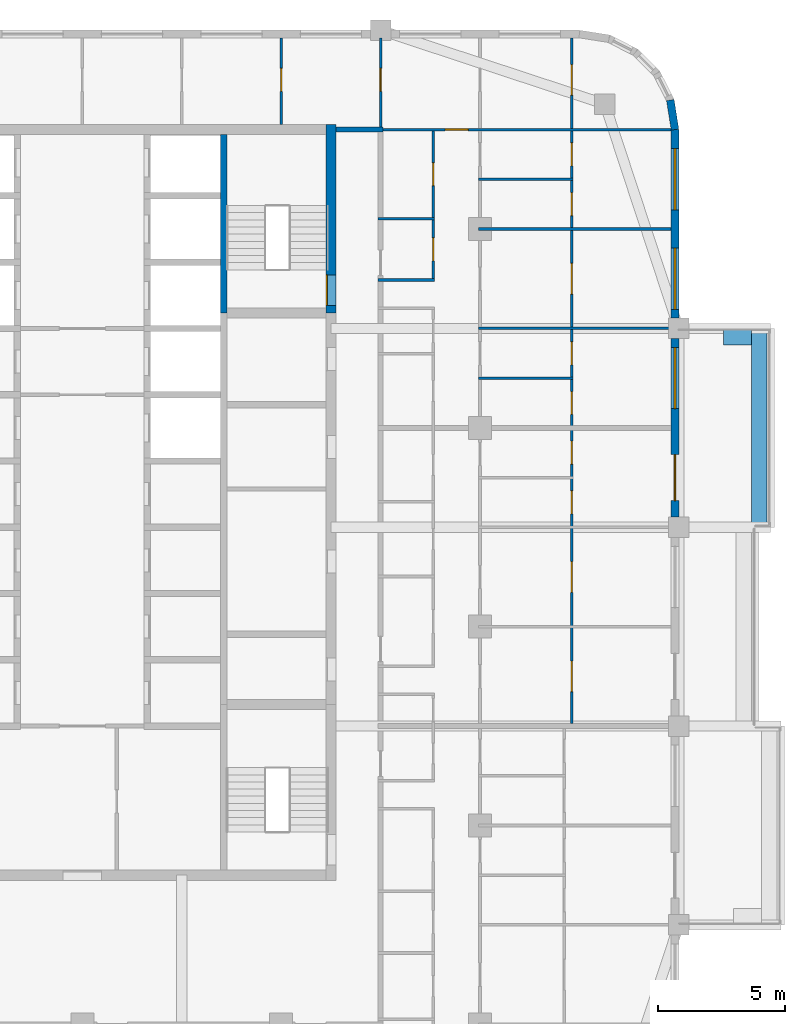
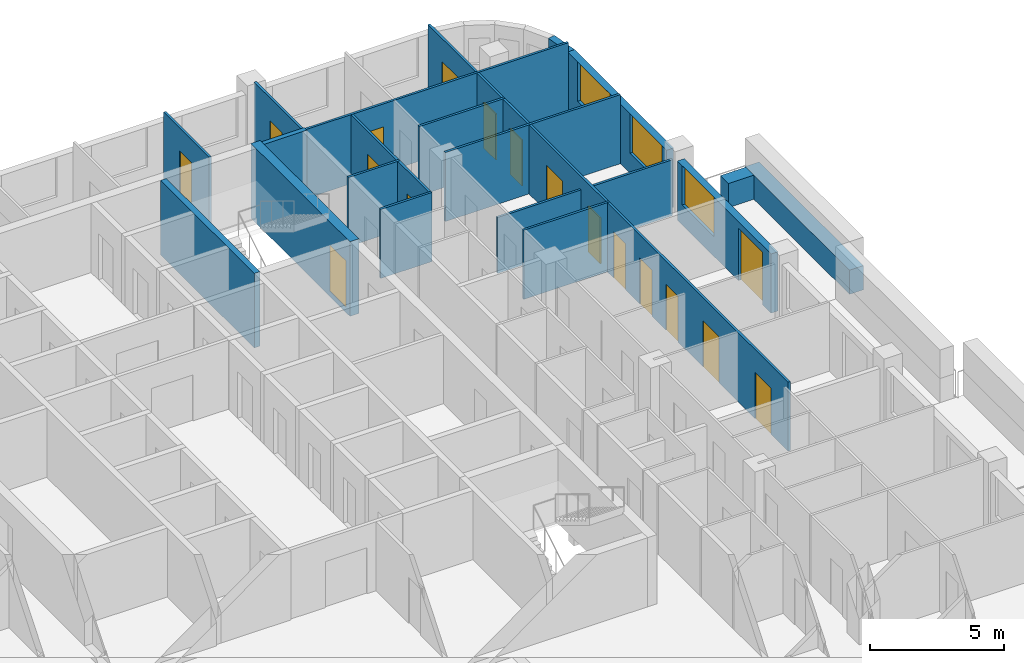
# One storey, part 11 of 17: 19 walls, 17 doors, 3 windows, 20 openings.
"""IFC4 building model written with IfcOpenShell, lengths in metres."""

from ifc_helpers import new_model, si_unit, direction, frame, frame_2d, origin, place, context, subcontext, project, spatial, rectangle, extrude, material, layer, layer_set, type_object, element, fill, save


model = new_model("IFC4")

# Units and contexts
model_context = context("Model", 3, precision=1e-05, world=origin(), true_north=direction((0.0, 1.0)))
body_context = subcontext(model_context, "Body", "Model", "MODEL_VIEW")
ifc_project = project(units=[si_unit("LENGTHUNIT", "METRE"), si_unit("AREAUNIT", "SQUARE_METRE"), si_unit("VOLUMEUNIT", "CUBIC_METRE"), si_unit("PLANEANGLEUNIT", "RADIAN"), si_unit("MASSUNIT", "GRAM", prefix="KILO")], contexts=[model_context])

# Site, building, storey
site_placement = place(None, origin())
site = spatial("IfcSite", under=ifc_project, at=site_placement, CompositionType="ELEMENT")
building_placement = place(site_placement, origin())
building = spatial("IfcBuilding", under=site, at=building_placement, Name="Ludao Terraces", CompositionType="ELEMENT")
storey_placement = place(building_placement, frame((0.0, 0.0, 210.89990234375)))
storey = spatial("IfcBuildingStorey", under=building, at=storey_placement, Name="L57", CompositionType="ELEMENT", Elevation=210.89990234375)

# Wall, opening, door
ifc_material_1 = material(Name="Concrete C50", Category="concrete")
ifc_layer_1 = layer(ifc_material_1, 0.39990234375)
ifc_layer_set_1 = layer_set([ifc_layer_1], Name="Core wall 400 C50")
wall_type_1 = type_object("IfcWallType", Name="Core wall 400 C50", PredefinedType="SOLIDWALL", material=ifc_layer_set_1)
wall_1_placement = place(storey_placement, frame((94.75, 77.300048828125, -0.25), z_axis=(0.0, 0.0, 1.0), x_axis=(0.0, 1.0, 0.0)))
wall_1 = element("IfcWall", 1, at=wall_1_placement, inside=storey, type_object=wall_type_1, Name="Core wall L57 outer-E-S2", PredefinedType="SOLIDWALL", context=body_context, shape_type="SweptSolid", body=[
    extrude(rectangle(XDim=7.39990234375, YDim=0.39990234375, at=frame_2d((3.699951171875, 0.0))), origin(), (0.0, 0.0, 1.0), 3.400146484375),
])
opening_1_placement = place(wall_1_placement, frame((0.300048828125, 0.0, 0.25)))
opening_1 = element("IfcOpeningElement", 2, at=opening_1_placement, cuts=wall_1, Name="Opening R20-110", PredefinedType="OPENING", context=body_context, shape_type="SweptSolid", body=[
    extrude(rectangle(XDim=1.199951171875, YDim=2.10009765625, at=frame_2d((0.60009765625, 1.050048828125))), frame((0.0, 0.2099609375, 0.0), z_axis=(0.0, -1.0, 0.0), x_axis=(1.0, 0.0, 0.0)), (0.0, 0.0, 1.0), 0.419921875),
])
ifc_material_2 = material(Name="Steel Q235", Category="steel")
door_type_1 = type_object("IfcDoorType", Name="INT Stair door 1200", OperationType="DOUBLE_DOOR_SINGLE_SWING", PredefinedType="DOOR", material=ifc_material_2)
door_1_placement = place(opening_1_placement, origin())
door_1 = element("IfcDoor", 3, at=door_1_placement, inside=storey, type_object=door_type_1, Name="DOOR 110", OperationType="DOUBLE_DOOR_SINGLE_SWING", OverallHeight=2.10009765625, OverallWidth=1.199951171875, PredefinedType="DOOR", context=body_context, shape_type="SweptSolid", body=[
    extrude(rectangle(XDim=1.199951171875, YDim=2.10009765625, at=frame_2d((0.60009765625, 1.050048828125))), frame((0.0, 0.18505859375, 0.0), z_axis=(0.0, -1.0, 0.0), x_axis=(1.0, 0.0, 0.0)), (0.0, 0.0, 1.0), 0.050048828125),
])
fill(opening_1, door_1)

# Walls
ifc_material_3 = material(Name="Concrete C40", Category="concrete")
ifc_layer_2 = layer(ifc_material_3, 0.60009765625)
ifc_layer_set_2 = layer_set([ifc_layer_2], Name="ENV Planter trough 600")
wall_type_2 = type_object("IfcWallType", Name="ENV Planter trough 600", PredefinedType="USERDEFINED", material=ifc_layer_set_2)
wall_2_placement = place(storey_placement, frame((111.550048828125, 68.89990234375, 0.0), z_axis=(0.0, 0.0, 1.0), x_axis=(0.0, 1.0, 0.0)))
element("IfcWall", 4, at=wall_2_placement, inside=storey, type_object=wall_type_2, Name="PL-L57-E3", ObjectType="PLANTER", PredefinedType="USERDEFINED", context=body_context, shape_type="SweptSolid", body=[
    extrude(rectangle(XDim=7.800048828125, YDim=0.60009765625, at=frame_2d((3.89990234375, 0.0))), origin(), (0.0, 0.0, 1.0), 1.10009765625),
])
wall_3_placement = place(storey_placement, frame((111.25, 76.35009765625, 0.0), z_axis=(0.0, 0.0, 1.0), x_axis=(-1.0, 0.0, 0.0)))
element("IfcWall", 5, at=wall_3_placement, inside=storey, type_object=wall_type_2, Name="PL-L57-E3-SB", ObjectType="PLANTER", PredefinedType="USERDEFINED", context=body_context, shape_type="SweptSolid", body=[
    extrude(rectangle(XDim=1.10009765625, YDim=0.60009765625, at=frame_2d((0.550048828125, 0.0))), origin(), (0.0, 0.0, 1.0), 1.10009765625),
])

# Wall, openings, door, window
ifc_material_4 = material(Name="Granite cladding", Category="masonry")
ifc_layer_3 = layer(ifc_material_4, 0.0400390625, Category="stone")
ifc_material_5 = material(Name="Mineral wool")
ifc_layer_4 = layer(ifc_material_5, 0.06005859375)
ifc_layer_5 = layer(ifc_material_3, 0.199951171875, Category="concrete")
ifc_layer_set_3 = layer_set([ifc_layer_3, ifc_layer_4, ifc_layer_5], Name="ENV Stone-clad wall 300")
wall_type_3 = type_object("IfcWallType", Name="ENV Stone-clad wall 300", PredefinedType="SOLIDWALL", material=ifc_layer_set_3)
wall_4_placement = place(storey_placement, frame((108.25, 69.300048828125, 0.0), z_axis=(0.0, 0.0, 1.0), x_axis=(0.0, 1.0, 0.0)))
wall_4 = element("IfcWall", 6, at=wall_4_placement, inside=storey, type_object=wall_type_3, Name="EW-L57-E4", PredefinedType="SOLIDWALL", context=body_context, shape_type="SweptSolid", body=[
    extrude(rectangle(XDim=7.0, YDim=0.300048828125, at=frame_2d((3.5, 0.0))), origin(), (0.0, 0.0, 1.0), 2.7001953125),
])
opening_2_placement = place(wall_4_placement, frame((0.64990234375, 0.0, 0.0)))
opening_2 = element("IfcOpeningElement", 7, at=opening_2_placement, cuts=wall_4, Name="Opening BD", PredefinedType="OPENING", context=body_context, shape_type="SweptSolid", body=[
    extrude(rectangle(XDim=1.800048828125, YDim=2.39990234375, at=frame_2d((0.89990234375, 1.199951171875))), frame((0.0, 0.16015625, 0.0), z_axis=(0.0, -1.0, 0.0), x_axis=(1.0, 0.0, 0.0)), (0.0, 0.0, 1.0), 0.320068359375),
])
opening_3_placement = place(wall_4_placement, frame((4.25, 0.0, 0.89990234375)))
opening_3 = element("IfcOpeningElement", 8, at=opening_3_placement, cuts=wall_4, Name="Opening W1", PredefinedType="OPENING", context=body_context, shape_type="SweptSolid", body=[
    extrude(rectangle(XDim=2.39990234375, YDim=1.800048828125, at=frame_2d((1.199951171875, 0.89990234375))), frame((0.0, 0.16015625, 0.0), z_axis=(0.0, -1.0, 0.0), x_axis=(1.0, 0.0, 0.0)), (0.0, 0.0, 1.0), 0.320068359375),
])
ifc_material_6 = material(Name="Aluminium glazed door", Category="aluminium")
ifc_layer_6 = layer(ifc_material_6, 0.06005859375)
ifc_layer_set_4 = layer_set([ifc_layer_6], Name="ENV Balcony door BD 1800x2400")
door_type_2 = type_object("IfcDoorType", Name="ENV Balcony door BD 1800x2400", OperationType="DOUBLE_DOOR_SINGLE_SWING", PredefinedType="DOOR", material=ifc_layer_set_4)
door_2_placement = place(opening_2_placement, origin())
door_2 = element("IfcDoor", 9, at=door_2_placement, inside=storey, type_object=door_type_2, Name="BD-L57-E4-1", OperationType="DOUBLE_DOOR_SINGLE_SWING", OverallHeight=2.39990234375, OverallWidth=1.800048828125, PredefinedType="DOOR", context=body_context, shape_type="SweptSolid", body=[
    extrude(rectangle(XDim=1.800048828125, YDim=2.39990234375, at=frame_2d((0.89990234375, 1.199951171875))), frame((0.0, 0.02490234375, 0.0), z_axis=(0.0, -1.0, 0.0), x_axis=(1.0, 0.0, 0.0)), (0.0, 0.0, 1.0), 0.050048828125),
])
fill(opening_2, door_2)
ifc_material_7 = material(Name="Clear glass in aluminium frame", Category="aluminium")
ifc_layer_7 = layer(ifc_material_7, 0.06005859375)
ifc_layer_set_5 = layer_set([ifc_layer_7], Name="ENV Window W1 2400x1800")
window_type = type_object("IfcWindowType", Name="ENV Window W1 2400x1800", PartitioningType="DOUBLE_PANEL_VERTICAL", PredefinedType="WINDOW", material=ifc_layer_set_5)
window_1_placement = place(opening_3_placement, origin())
window_1 = element("IfcWindow", 10, at=window_1_placement, inside=storey, type_object=window_type, Name="W-L57-E4-2", OverallHeight=1.800048828125, OverallWidth=2.39990234375, PartitioningType="DOUBLE_PANEL_VERTICAL", PredefinedType="WINDOW", context=body_context, shape_type="SweptSolid", body=[
    extrude(rectangle(XDim=2.39990234375, YDim=1.800048828125, at=frame_2d((1.199951171875, 0.89990234375))), frame((0.0, 0.030029296875, 0.0), z_axis=(0.0, -1.0, 0.0), x_axis=(1.0, 0.0, 0.0)), (0.0, 0.0, 1.0), 0.06005859375),
])
fill(opening_3, window_1)

# Wall, openings, windows
wall_5_placement = place(storey_placement, frame((108.25, 77.10009765625, 0.0), z_axis=(0.0, 0.0, 1.0), x_axis=(0.0, 1.0, 0.0)))
wall_5 = element("IfcWall", 11, at=wall_5_placement, inside=storey, type_object=wall_type_3, Name="EW-L57-E5", PredefinedType="SOLIDWALL", context=body_context, shape_type="SweptSolid", body=[
    extrude(rectangle(XDim=7.39990234375, YDim=0.300048828125, at=frame_2d((3.699951171875, 0.0))), origin(), (0.0, 0.0, 1.0), 2.7001953125),
])
opening_4_placement = place(wall_5_placement, frame((0.35009765625, 0.0, 0.89990234375)))
opening_4 = element("IfcOpeningElement", 12, at=opening_4_placement, cuts=wall_5, Name="Opening W1", PredefinedType="OPENING", context=body_context, shape_type="SweptSolid", body=[
    extrude(rectangle(XDim=2.39990234375, YDim=1.800048828125, at=frame_2d((1.199951171875, 0.89990234375))), frame((0.0, 0.16015625, 0.0), z_axis=(0.0, -1.0, 0.0), x_axis=(1.0, 0.0, 0.0)), (0.0, 0.0, 1.0), 0.320068359375),
])
opening_5_placement = place(wall_5_placement, frame((4.25, 0.0, 0.89990234375)))
opening_5 = element("IfcOpeningElement", 13, at=opening_5_placement, cuts=wall_5, Name="Opening W1", PredefinedType="OPENING", context=body_context, shape_type="SweptSolid", body=[
    extrude(rectangle(XDim=2.39990234375, YDim=1.800048828125, at=frame_2d((1.199951171875, 0.89990234375))), frame((0.0, 0.16015625, 0.0), z_axis=(0.0, -1.0, 0.0), x_axis=(1.0, 0.0, 0.0)), (0.0, 0.0, 1.0), 0.320068359375),
])
window_2_placement = place(opening_4_placement, origin())
window_2 = element("IfcWindow", 14, at=window_2_placement, inside=storey, type_object=window_type, Name="W-L57-E5-1", OverallHeight=1.800048828125, OverallWidth=2.39990234375, PartitioningType="DOUBLE_PANEL_VERTICAL", PredefinedType="WINDOW", context=body_context, shape_type="SweptSolid", body=[
    extrude(rectangle(XDim=2.39990234375, YDim=1.800048828125, at=frame_2d((1.199951171875, 0.89990234375))), frame((0.0, 0.030029296875, 0.0), z_axis=(0.0, -1.0, 0.0), x_axis=(1.0, 0.0, 0.0)), (0.0, 0.0, 1.0), 0.06005859375),
])
fill(opening_4, window_2)
window_3_placement = place(opening_5_placement, origin())
window_3 = element("IfcWindow", 15, at=window_3_placement, inside=storey, type_object=window_type, Name="W-L57-E5-2", OverallHeight=1.800048828125, OverallWidth=2.39990234375, PartitioningType="DOUBLE_PANEL_VERTICAL", PredefinedType="WINDOW", context=body_context, shape_type="SweptSolid", body=[
    extrude(rectangle(XDim=2.39990234375, YDim=1.800048828125, at=frame_2d((1.199951171875, 0.89990234375))), frame((0.0, 0.030029296875, 0.0), z_axis=(0.0, -1.0, 0.0), x_axis=(1.0, 0.0, 0.0)), (0.0, 0.0, 1.0), 0.06005859375),
])
fill(opening_5, window_3)

# Walls
wall_6_placement = place(storey_placement, frame((108.25, 84.5, 0.0), z_axis=(0.0, 0.0, 1.0), x_axis=(-0.156496880861, 0.987678452879, 0.0)))
element("IfcWall", 16, at=wall_6_placement, inside=storey, type_object=wall_type_3, Name="EW-L57-NE1", PredefinedType="SOLIDWALL", context=body_context, shape_type="SweptSolid", body=[
    extrude(rectangle(XDim=1.173095703125, YDim=0.300048828125, at=frame_2d((0.58642578125, 0.0))), origin(), (0.0, 0.0, 1.0), 2.7001953125),
])
ifc_material_8 = material(Name="Autoclaved aerated concrete block B06 A3.5", Category="concrete")
ifc_layer_8 = layer(ifc_material_8, 0.199951171875)
ifc_layer_set_6 = layer_set([ifc_layer_8], Name="INT Entrance wall 200")
wall_type_4 = type_object("IfcWallType", Name="INT Entrance wall 200", PredefinedType="PARTITIONING", material=ifc_layer_set_6)
wall_7_placement = place(storey_placement, frame((94.9501953125, 84.5, 0.0), z_axis=(0.0, 0.0, 1.0), x_axis=(1.0, 0.0, 0.0)))
element("IfcWall", 17, at=wall_7_placement, inside=storey, type_object=wall_type_4, Name="PW-L57-PW068", PredefinedType="PARTITIONING", context=body_context, shape_type="SweptSolid", body=[
    extrude(rectangle(XDim=1.849853515625, YDim=0.199951171875, at=frame_2d((0.9248046875, 0.0))), origin(), (0.0, 0.0, 1.0), 3.150146484375),
])
ifc_material_9 = material(Name="Gypsum plasterboard", Category="gypsum")
ifc_layer_9 = layer(ifc_material_9, 0.012451171875, Category="gypsum")
ifc_layer_10 = layer(ifc_material_5, 0.06005859375, Name="insulation")
ifc_layer_11 = layer(ifc_material_2, 0.014892578125, Name="stud")
ifc_layer_12 = layer(ifc_material_9, 0.012451171875, Category="gypsum")
ifc_layer_set_7 = layer_set([ifc_layer_9, ifc_layer_10, ifc_layer_11, ifc_layer_12], Name="INT Partition 100")
wall_type_5 = type_object("IfcWallType", Name="INT Partition 100", PredefinedType="PARTITIONING", material=ifc_layer_set_7)
wall_8_placement = place(storey_placement, frame((100.550048828125, 74.75, 0.0), z_axis=(0.0, 0.0, 1.0), x_axis=(1.0, 0.0, 0.0)))
element("IfcWall", 18, at=wall_8_placement, inside=storey, type_object=wall_type_5, Name="PW-L57-PW050", PredefinedType="PARTITIONING", context=body_context, shape_type="SweptSolid", body=[
    extrude(rectangle(XDim=3.699951171875, YDim=0.10009765625, at=frame_2d((1.85009765625, 0.0))), origin(), (0.0, 0.0, 1.0), 3.150146484375),
])
wall_9_placement = place(storey_placement, frame((100.550048828125, 76.699951171875, 0.0), z_axis=(0.0, 0.0, 1.0), x_axis=(1.0, 0.0, 0.0)))
element("IfcWall", 19, at=wall_9_placement, inside=storey, type_object=wall_type_5, Name="PW-L57-PW054", PredefinedType="PARTITIONING", context=body_context, shape_type="SweptSolid", body=[
    extrude(rectangle(XDim=7.550048828125, YDim=0.10009765625, at=frame_2d((3.77490234375, 0.0))), origin(), (0.0, 0.0, 1.0), 2.550048828125),
])
wall_10_placement = place(storey_placement, frame((96.60009765625, 78.60009765625, 0.0), z_axis=(0.0, 0.0, 1.0), x_axis=(1.0, 0.0, 0.0)))
element("IfcWall", 20, at=wall_10_placement, inside=storey, type_object=wall_type_5, Name="PW-L57-PW056", PredefinedType="PARTITIONING", context=body_context, shape_type="SweptSolid", body=[
    extrude(rectangle(XDim=2.219970703125, YDim=0.10009765625, at=frame_2d((1.10986328125, 0.0))), origin(), (0.0, 0.0, 1.0), 3.150146484375),
])
wall_11_placement = place(storey_placement, frame((100.550048828125, 80.60009765625, 0.0), z_axis=(0.0, 0.0, 1.0), x_axis=(1.0, 0.0, 0.0)))
element("IfcWall", 21, at=wall_11_placement, inside=storey, type_object=wall_type_5, Name="PW-L57-PW061", PredefinedType="PARTITIONING", context=body_context, shape_type="SweptSolid", body=[
    extrude(rectangle(XDim=7.550048828125, YDim=0.10009765625, at=frame_2d((3.77490234375, 0.0))), origin(), (0.0, 0.0, 1.0), 3.150146484375),
])
wall_12_placement = place(storey_placement, frame((96.60009765625, 81.0, 0.0), z_axis=(0.0, 0.0, 1.0), x_axis=(1.0, 0.0, 0.0)))
element("IfcWall", 22, at=wall_12_placement, inside=storey, type_object=wall_type_5, Name="PW-L57-PW062", PredefinedType="PARTITIONING", context=body_context, shape_type="SweptSolid", body=[
    extrude(rectangle(XDim=2.219970703125, YDim=0.10009765625, at=frame_2d((1.10986328125, 0.0))), origin(), (0.0, 0.0, 1.0), 3.150146484375),
])
wall_13_placement = place(storey_placement, frame((100.550048828125, 82.550048828125, 0.0), z_axis=(0.0, 0.0, 1.0), x_axis=(1.0, 0.0, 0.0)))
element("IfcWall", 23, at=wall_13_placement, inside=storey, type_object=wall_type_5, Name="PW-L57-PW064", PredefinedType="PARTITIONING", context=body_context, shape_type="SweptSolid", body=[
    extrude(rectangle(XDim=3.699951171875, YDim=0.10009765625, at=frame_2d((1.85009765625, 0.0))), origin(), (0.0, 0.0, 1.0), 3.150146484375),
])

# Wall, opening, door
wall_14_placement = place(storey_placement, frame((96.60009765625, 84.5, 0.0), z_axis=(0.0, 0.0, 1.0), x_axis=(1.0, 0.0, 0.0)))
wall_14 = element("IfcWall", 24, at=wall_14_placement, inside=storey, type_object=wall_type_5, Name="PW-L57-PW069", PredefinedType="PARTITIONING", context=body_context, shape_type="SweptSolid", body=[
    extrude(rectangle(XDim=11.5, YDim=0.10009765625, at=frame_2d((5.75, 0.0))), origin(), (0.0, 0.0, 1.0), 3.150146484375),
])
opening_6_placement = place(wall_14_placement, frame((2.635009765625, 0.0, 0.0)))
opening_6 = element("IfcOpeningElement", 25, at=opening_6_placement, cuts=wall_14, Name="Opening R20-132", PredefinedType="OPENING", context=body_context, shape_type="SweptSolid", body=[
    extrude(rectangle(XDim=0.89990234375, YDim=2.10009765625, at=frame_2d((0.449951171875, 1.050048828125))), frame((0.0, 0.06005859375, 0.0), z_axis=(0.0, -1.0, 0.0), x_axis=(1.0, 0.0, 0.0)), (0.0, 0.0, 1.0), 0.1201171875),
])
ifc_material_10 = material(Name="Timber door leaf", Category="wood")
door_type_3 = type_object("IfcDoorType", Name="INT Room door 900", OperationType="SINGLE_SWING_LEFT", PredefinedType="DOOR", material=ifc_material_10)
door_3_placement = place(opening_6_placement, origin())
door_3 = element("IfcDoor", 26, at=door_3_placement, inside=storey, type_object=door_type_3, Name="DOOR 132", OperationType="SINGLE_SWING_RIGHT", OverallHeight=2.10009765625, OverallWidth=0.89990234375, PredefinedType="DOOR", context=body_context, shape_type="SweptSolid", body=[
    extrude(rectangle(XDim=0.89990234375, YDim=2.10009765625, at=frame_2d((0.449951171875, 1.050048828125))), frame((0.0, 0.02490234375, 0.0), z_axis=(0.0, -1.0, 0.0), x_axis=(1.0, 0.0, 0.0)), (0.0, 0.0, 1.0), 0.050048828125),
])
fill(opening_6, door_3)

wall_15_placement = place(storey_placement, frame((92.800048828125, 84.7001953125, 0.0), z_axis=(0.0, 0.0, 1.0), x_axis=(0.0, 1.0, 0.0)))
wall_15 = element("IfcWall", 27, at=wall_15_placement, inside=storey, type_object=wall_type_5, Name="PW-L57-PW088", PredefinedType="PARTITIONING", context=body_context, shape_type="SweptSolid", body=[
    extrude(rectangle(XDim=3.39990234375, YDim=0.10009765625, at=frame_2d((1.699951171875, 0.0))), origin(), (0.0, 0.0, 1.0), 3.150146484375),
])
opening_7_placement = place(wall_15_placement, frame((1.2998046875, 0.0, 0.0)))
opening_7 = element("IfcOpeningElement", 28, at=opening_7_placement, cuts=wall_15, Name="Opening R20-139", PredefinedType="OPENING", context=body_context, shape_type="SweptSolid", body=[
    extrude(rectangle(XDim=0.89990234375, YDim=2.10009765625, at=frame_2d((0.449951171875, 1.050048828125))), frame((0.0, 0.06005859375, 0.0), z_axis=(0.0, -1.0, 0.0), x_axis=(1.0, 0.0, 0.0)), (0.0, 0.0, 1.0), 0.1201171875),
])
door_4_placement = place(opening_7_placement, origin())
door_4 = element("IfcDoor", 29, at=door_4_placement, inside=storey, type_object=door_type_3, Name="DOOR 139", OperationType="SINGLE_SWING_RIGHT", OverallHeight=2.10009765625, OverallWidth=0.89990234375, PredefinedType="DOOR", context=body_context, shape_type="SweptSolid", body=[
    extrude(rectangle(XDim=0.89990234375, YDim=2.10009765625, at=frame_2d((0.449951171875, 1.050048828125))), frame((0.0, 0.02490234375, 0.0), z_axis=(0.0, -1.0, 0.0), x_axis=(1.0, 0.0, 0.0)), (0.0, 0.0, 1.0), 0.050048828125),
])
fill(opening_7, door_4)

wall_16_placement = place(storey_placement, frame((96.699951171875, 84.60009765625, 0.0), z_axis=(0.0, 0.0, 1.0), x_axis=(0.0, 1.0, 0.0)))
wall_16 = element("IfcWall", 30, at=wall_16_placement, inside=storey, type_object=wall_type_5, Name="PW-L57-PW091", PredefinedType="PARTITIONING", context=body_context, shape_type="SweptSolid", body=[
    extrude(rectangle(XDim=3.5, YDim=0.10009765625, at=frame_2d((1.75, 0.0))), origin(), (0.0, 0.0, 1.0), 3.150146484375),
])
opening_8_placement = place(wall_16_placement, frame((1.39990234375, 0.0, 0.0)))
opening_8 = element("IfcOpeningElement", 31, at=opening_8_placement, cuts=wall_16, Name="Opening R20-140", PredefinedType="OPENING", context=body_context, shape_type="SweptSolid", body=[
    extrude(rectangle(XDim=0.89990234375, YDim=2.10009765625, at=frame_2d((0.449951171875, 1.050048828125))), frame((0.0, 0.06005859375, 0.0), z_axis=(0.0, -1.0, 0.0), x_axis=(1.0, 0.0, 0.0)), (0.0, 0.0, 1.0), 0.1201171875),
])
door_5_placement = place(opening_8_placement, origin())
door_5 = element("IfcDoor", 32, at=door_5_placement, inside=storey, type_object=door_type_3, Name="DOOR 140", OperationType="SINGLE_SWING_RIGHT", OverallHeight=2.10009765625, OverallWidth=0.89990234375, PredefinedType="DOOR", context=body_context, shape_type="SweptSolid", body=[
    extrude(rectangle(XDim=0.89990234375, YDim=2.10009765625, at=frame_2d((0.449951171875, 1.050048828125))), frame((0.0, 0.02490234375, 0.0), z_axis=(0.0, -1.0, 0.0), x_axis=(1.0, 0.0, 0.0)), (0.0, 0.0, 1.0), 0.050048828125),
])
fill(opening_8, door_5)

# Wall, openings, doors
wall_17_placement = place(storey_placement, frame((98.77001953125, 78.650146484375, 0.0), z_axis=(0.0, 0.0, 1.0), x_axis=(0.0, 1.0, 0.0)))
wall_17 = element("IfcWall", 33, at=wall_17_placement, inside=storey, type_object=wall_type_5, Name="PW-L57-PW095", PredefinedType="PARTITIONING", context=body_context, shape_type="SweptSolid", body=[
    extrude(rectangle(XDim=5.800048828125, YDim=0.10009765625, at=frame_2d((2.89990234375, 0.0))), origin(), (0.0, 0.0, 1.0), 3.150146484375),
])
opening_9_placement = place(wall_17_placement, frame((0.699951171875, 0.0, 0.0)))
opening_9 = element("IfcOpeningElement", 34, at=opening_9_placement, cuts=wall_17, Name="Opening R20-117", PredefinedType="OPENING", context=body_context, shape_type="SweptSolid", body=[
    extrude(rectangle(XDim=0.89990234375, YDim=2.10009765625, at=frame_2d((0.449951171875, 1.050048828125))), frame((0.0, 0.06005859375, 0.0), z_axis=(0.0, -1.0, 0.0), x_axis=(1.0, 0.0, 0.0)), (0.0, 0.0, 1.0), 0.1201171875),
])
opening_10_placement = place(wall_17_placement, frame((3.64990234375, 0.0, 0.0)))
opening_10 = element("IfcOpeningElement", 35, at=opening_10_placement, cuts=wall_17, Name="Opening R20-125", PredefinedType="OPENING", context=body_context, shape_type="SweptSolid", body=[
    extrude(rectangle(XDim=0.89990234375, YDim=2.10009765625, at=frame_2d((0.449951171875, 1.050048828125))), frame((0.0, 0.06005859375, 0.0), z_axis=(0.0, -1.0, 0.0), x_axis=(1.0, 0.0, 0.0)), (0.0, 0.0, 1.0), 0.1201171875),
])
door_type_4 = type_object("IfcDoorType", Name="INT Bathroom door 900", OperationType="SINGLE_SWING_LEFT", PredefinedType="DOOR", material=ifc_material_10)
door_6_placement = place(opening_9_placement, origin())
door_6 = element("IfcDoor", 36, at=door_6_placement, inside=storey, type_object=door_type_4, Name="DOOR 117", OperationType="SINGLE_SWING_LEFT", OverallHeight=2.10009765625, OverallWidth=0.89990234375, PredefinedType="DOOR", context=body_context, shape_type="SweptSolid", body=[
    extrude(rectangle(XDim=0.89990234375, YDim=2.10009765625, at=frame_2d((0.449951171875, 1.050048828125))), frame((0.0, 0.02490234375, 0.0), z_axis=(0.0, -1.0, 0.0), x_axis=(1.0, 0.0, 0.0)), (0.0, 0.0, 1.0), 0.050048828125),
])
fill(opening_9, door_6)
door_7_placement = place(opening_10_placement, origin())
door_7 = element("IfcDoor", 37, at=door_7_placement, inside=storey, type_object=door_type_3, Name="DOOR 125", OperationType="SINGLE_SWING_LEFT", OverallHeight=2.10009765625, OverallWidth=0.89990234375, PredefinedType="DOOR", context=body_context, shape_type="SweptSolid", body=[
    extrude(rectangle(XDim=0.89990234375, YDim=2.10009765625, at=frame_2d((0.449951171875, 1.050048828125))), frame((0.0, 0.02490234375, 0.0), z_axis=(0.0, -1.0, 0.0), x_axis=(1.0, 0.0, 0.0)), (0.0, 0.0, 1.0), 0.050048828125),
])
fill(opening_10, door_7)

wall_18_placement = place(storey_placement, frame((104.199951171875, 61.2001953125, 0.0), z_axis=(0.0, 0.0, 1.0), x_axis=(0.0, 1.0, 0.0)))
wall_18 = element("IfcWall", 38, at=wall_18_placement, inside=storey, type_object=wall_type_5, Name="PW-L57-PW098", PredefinedType="PARTITIONING", context=body_context, shape_type="SweptSolid", body=[
    extrude(rectangle(XDim=26.89990234375, YDim=0.10009765625, at=frame_2d((13.449951171875, 0.0))), origin(), (0.0, 0.0, 1.0), 3.150146484375),
])
opening_11_placement = place(wall_18_placement, frame((1.25, 0.0, 0.0)))
opening_11 = element("IfcOpeningElement", 39, at=opening_11_placement, cuts=wall_18, Name="Opening R20-057", PredefinedType="OPENING", context=body_context, shape_type="SweptSolid", body=[
    extrude(rectangle(XDim=1.199951171875, YDim=2.10009765625, at=frame_2d((0.60009765625, 1.050048828125))), frame((0.0, 0.06005859375, 0.0), z_axis=(0.0, -1.0, 0.0), x_axis=(1.0, 0.0, 0.0)), (0.0, 0.0, 1.0), 0.1201171875),
])
opening_12_placement = place(wall_18_placement, frame((5.14990234375, 0.0, 0.0)))
opening_12 = element("IfcOpeningElement", 40, at=opening_12_placement, cuts=wall_18, Name="Opening R20-069", PredefinedType="OPENING", context=body_context, shape_type="SweptSolid", body=[
    extrude(rectangle(XDim=1.199951171875, YDim=2.10009765625, at=frame_2d((0.60009765625, 1.050048828125))), frame((0.0, 0.06005859375, 0.0), z_axis=(0.0, -1.0, 0.0), x_axis=(1.0, 0.0, 0.0)), (0.0, 0.0, 1.0), 0.1201171875),
])
opening_13_placement = place(wall_18_placement, frame((8.224853515625, 0.0, 0.0)))
opening_13 = element("IfcOpeningElement", 41, at=opening_13_placement, cuts=wall_18, Name="Opening R20-077", PredefinedType="OPENING", context=body_context, shape_type="SweptSolid", body=[
    extrude(rectangle(XDim=0.89990234375, YDim=2.10009765625, at=frame_2d((0.449951171875, 1.050048828125))), frame((0.0, 0.06005859375, 0.0), z_axis=(0.0, -1.0, 0.0), x_axis=(1.0, 0.0, 0.0)), (0.0, 0.0, 1.0), 0.1201171875),
])
opening_14_placement = place(wall_18_placement, frame((10.1748046875, 0.0, 0.0)))
opening_14 = element("IfcOpeningElement", 42, at=opening_14_placement, cuts=wall_18, Name="Opening R20-085", PredefinedType="OPENING", context=body_context, shape_type="SweptSolid", body=[
    extrude(rectangle(XDim=0.89990234375, YDim=2.10009765625, at=frame_2d((0.449951171875, 1.050048828125))), frame((0.0, 0.06005859375, 0.0), z_axis=(0.0, -1.0, 0.0), x_axis=(1.0, 0.0, 0.0)), (0.0, 0.0, 1.0), 0.1201171875),
])
opening_15_placement = place(wall_18_placement, frame((12.125, 0.0, 0.0)))
opening_15 = element("IfcOpeningElement", 43, at=opening_15_placement, cuts=wall_18, Name="Opening R20-090", PredefinedType="OPENING", context=body_context, shape_type="SweptSolid", body=[
    extrude(rectangle(XDim=0.89990234375, YDim=2.10009765625, at=frame_2d((0.449951171875, 1.050048828125))), frame((0.0, 0.06005859375, 0.0), z_axis=(0.0, -1.0, 0.0), x_axis=(1.0, 0.0, 0.0)), (0.0, 0.0, 1.0), 0.1201171875),
])
opening_16_placement = place(wall_18_placement, frame((14.074951171875, 0.0, 0.0)))
opening_16 = element("IfcOpeningElement", 44, at=opening_16_placement, cuts=wall_18, Name="Opening R20-102", PredefinedType="OPENING", context=body_context, shape_type="SweptSolid", body=[
    extrude(rectangle(XDim=0.89990234375, YDim=2.10009765625, at=frame_2d((0.449951171875, 1.050048828125))), frame((0.0, 0.06005859375, 0.0), z_axis=(0.0, -1.0, 0.0), x_axis=(1.0, 0.0, 0.0)), (0.0, 0.0, 1.0), 0.1201171875),
])
opening_17_placement = place(wall_18_placement, frame((16.849853515625, 0.0, 0.0)))
opening_17 = element("IfcOpeningElement", 45, at=opening_17_placement, cuts=wall_18, Name="Opening R20-112", PredefinedType="OPENING", context=body_context, shape_type="SweptSolid", body=[
    extrude(rectangle(XDim=1.199951171875, YDim=2.10009765625, at=frame_2d((0.60009765625, 1.050048828125))), frame((0.0, 0.06005859375, 0.0), z_axis=(0.0, -1.0, 0.0), x_axis=(1.0, 0.0, 0.0)), (0.0, 0.0, 1.0), 0.1201171875),
])
opening_18_placement = place(wall_18_placement, frame((19.9248046875, 0.0, 0.0)))
opening_18 = element("IfcOpeningElement", 46, at=opening_18_placement, cuts=wall_18, Name="Opening R20-122", PredefinedType="OPENING", context=body_context, shape_type="SweptSolid", body=[
    extrude(rectangle(XDim=0.89990234375, YDim=2.10009765625, at=frame_2d((0.449951171875, 1.050048828125))), frame((0.0, 0.06005859375, 0.0), z_axis=(0.0, -1.0, 0.0), x_axis=(1.0, 0.0, 0.0)), (0.0, 0.0, 1.0), 0.1201171875),
])
opening_19_placement = place(wall_18_placement, frame((21.875, 0.0, 0.0)))
opening_19 = element("IfcOpeningElement", 47, at=opening_19_placement, cuts=wall_18, Name="Opening R20-129", PredefinedType="OPENING", context=body_context, shape_type="SweptSolid", body=[
    extrude(rectangle(XDim=0.89990234375, YDim=2.10009765625, at=frame_2d((0.449951171875, 1.050048828125))), frame((0.0, 0.06005859375, 0.0), z_axis=(0.0, -1.0, 0.0), x_axis=(1.0, 0.0, 0.0)), (0.0, 0.0, 1.0), 0.1201171875),
])
opening_20_placement = place(wall_18_placement, frame((24.64990234375, 0.0, 0.0)))
opening_20 = element("IfcOpeningElement", 48, at=opening_20_placement, cuts=wall_18, Name="Opening R20-142", PredefinedType="OPENING", context=body_context, shape_type="SweptSolid", body=[
    extrude(rectangle(XDim=1.199951171875, YDim=2.10009765625, at=frame_2d((0.60009765625, 1.050048828125))), frame((0.0, 0.06005859375, 0.0), z_axis=(0.0, -1.0, 0.0), x_axis=(1.0, 0.0, 0.0)), (0.0, 0.0, 1.0), 0.1201171875),
])
door_8_placement = place(opening_13_placement, origin())
door_8 = element("IfcDoor", 49, at=door_8_placement, inside=storey, type_object=door_type_4, Name="DOOR 077", OperationType="SINGLE_SWING_LEFT", OverallHeight=2.10009765625, OverallWidth=0.89990234375, PredefinedType="DOOR", context=body_context, shape_type="SweptSolid", body=[
    extrude(rectangle(XDim=0.89990234375, YDim=2.10009765625, at=frame_2d((0.449951171875, 1.050048828125))), frame((0.0, 0.02490234375, 0.0), z_axis=(0.0, -1.0, 0.0), x_axis=(1.0, 0.0, 0.0)), (0.0, 0.0, 1.0), 0.050048828125),
])
fill(opening_13, door_8)
door_9_placement = place(opening_15_placement, origin())
door_9 = element("IfcDoor", 50, at=door_9_placement, inside=storey, type_object=door_type_4, Name="DOOR 090", OperationType="SINGLE_SWING_LEFT", OverallHeight=2.10009765625, OverallWidth=0.89990234375, PredefinedType="DOOR", context=body_context, shape_type="SweptSolid", body=[
    extrude(rectangle(XDim=0.89990234375, YDim=2.10009765625, at=frame_2d((0.449951171875, 1.050048828125))), frame((0.0, 0.02490234375, 0.0), z_axis=(0.0, -1.0, 0.0), x_axis=(1.0, 0.0, 0.0)), (0.0, 0.0, 1.0), 0.050048828125),
])
fill(opening_15, door_9)
door_10_placement = place(opening_18_placement, origin())
door_10 = element("IfcDoor", 51, at=door_10_placement, inside=storey, type_object=door_type_4, Name="DOOR 122", OperationType="SINGLE_SWING_LEFT", OverallHeight=2.10009765625, OverallWidth=0.89990234375, PredefinedType="DOOR", context=body_context, shape_type="SweptSolid", body=[
    extrude(rectangle(XDim=0.89990234375, YDim=2.10009765625, at=frame_2d((0.449951171875, 1.050048828125))), frame((0.0, 0.02490234375, 0.0), z_axis=(0.0, -1.0, 0.0), x_axis=(1.0, 0.0, 0.0)), (0.0, 0.0, 1.0), 0.050048828125),
])
fill(opening_18, door_10)
door_type_5 = type_object("IfcDoorType", Name="INT Double door 1200", OperationType="DOUBLE_DOOR_SINGLE_SWING", PredefinedType="DOOR", material=ifc_material_10)
door_11_placement = place(opening_11_placement, origin())
door_11 = element("IfcDoor", 52, at=door_11_placement, inside=storey, type_object=door_type_5, Name="DOOR 057", OperationType="DOUBLE_DOOR_SINGLE_SWING", OverallHeight=2.10009765625, OverallWidth=1.199951171875, PredefinedType="DOOR", context=body_context, shape_type="SweptSolid", body=[
    extrude(rectangle(XDim=1.199951171875, YDim=2.10009765625, at=frame_2d((0.60009765625, 1.050048828125))), frame((0.0, 0.02490234375, 0.0), z_axis=(0.0, -1.0, 0.0), x_axis=(1.0, 0.0, 0.0)), (0.0, 0.0, 1.0), 0.050048828125),
])
fill(opening_11, door_11)
door_12_placement = place(opening_12_placement, origin())
door_12 = element("IfcDoor", 53, at=door_12_placement, inside=storey, type_object=door_type_5, Name="DOOR 069", OperationType="DOUBLE_DOOR_SINGLE_SWING", OverallHeight=2.10009765625, OverallWidth=1.199951171875, PredefinedType="DOOR", context=body_context, shape_type="SweptSolid", body=[
    extrude(rectangle(XDim=1.199951171875, YDim=2.10009765625, at=frame_2d((0.60009765625, 1.050048828125))), frame((0.0, 0.02490234375, 0.0), z_axis=(0.0, -1.0, 0.0), x_axis=(1.0, 0.0, 0.0)), (0.0, 0.0, 1.0), 0.050048828125),
])
fill(opening_12, door_12)
door_13_placement = place(opening_17_placement, origin())
door_13 = element("IfcDoor", 54, at=door_13_placement, inside=storey, type_object=door_type_5, Name="DOOR 112", OperationType="DOUBLE_DOOR_SINGLE_SWING", OverallHeight=2.10009765625, OverallWidth=1.199951171875, PredefinedType="DOOR", context=body_context, shape_type="SweptSolid", body=[
    extrude(rectangle(XDim=1.199951171875, YDim=2.10009765625, at=frame_2d((0.60009765625, 1.050048828125))), frame((0.0, 0.02490234375, 0.0), z_axis=(0.0, -1.0, 0.0), x_axis=(1.0, 0.0, 0.0)), (0.0, 0.0, 1.0), 0.050048828125),
])
fill(opening_17, door_13)
door_14_placement = place(opening_20_placement, origin())
door_14 = element("IfcDoor", 55, at=door_14_placement, inside=storey, type_object=door_type_5, Name="DOOR 142", OperationType="DOUBLE_DOOR_SINGLE_SWING", OverallHeight=2.10009765625, OverallWidth=1.199951171875, PredefinedType="DOOR", context=body_context, shape_type="SweptSolid", body=[
    extrude(rectangle(XDim=1.199951171875, YDim=2.10009765625, at=frame_2d((0.60009765625, 1.050048828125))), frame((0.0, 0.02490234375, 0.0), z_axis=(0.0, -1.0, 0.0), x_axis=(1.0, 0.0, 0.0)), (0.0, 0.0, 1.0), 0.050048828125),
])
fill(opening_20, door_14)
door_15_placement = place(opening_14_placement, origin())
door_15 = element("IfcDoor", 56, at=door_15_placement, inside=storey, type_object=door_type_3, Name="DOOR 085", OperationType="SINGLE_SWING_RIGHT", OverallHeight=2.10009765625, OverallWidth=0.89990234375, PredefinedType="DOOR", context=body_context, shape_type="SweptSolid", body=[
    extrude(rectangle(XDim=0.89990234375, YDim=2.10009765625, at=frame_2d((0.449951171875, 1.050048828125))), frame((0.0, 0.02490234375, 0.0), z_axis=(0.0, -1.0, 0.0), x_axis=(1.0, 0.0, 0.0)), (0.0, 0.0, 1.0), 0.050048828125),
])
fill(opening_14, door_15)
door_16_placement = place(opening_16_placement, origin())
door_16 = element("IfcDoor", 57, at=door_16_placement, inside=storey, type_object=door_type_3, Name="DOOR 102", OperationType="SINGLE_SWING_RIGHT", OverallHeight=2.10009765625, OverallWidth=0.89990234375, PredefinedType="DOOR", context=body_context, shape_type="SweptSolid", body=[
    extrude(rectangle(XDim=0.89990234375, YDim=2.10009765625, at=frame_2d((0.449951171875, 1.050048828125))), frame((0.0, 0.02490234375, 0.0), z_axis=(0.0, -1.0, 0.0), x_axis=(1.0, 0.0, 0.0)), (0.0, 0.0, 1.0), 0.050048828125),
])
fill(opening_16, door_16)
door_17_placement = place(opening_19_placement, origin())
door_17 = element("IfcDoor", 58, at=door_17_placement, inside=storey, type_object=door_type_3, Name="DOOR 129", OperationType="SINGLE_SWING_LEFT", OverallHeight=2.10009765625, OverallWidth=0.89990234375, PredefinedType="DOOR", context=body_context, shape_type="SweptSolid", body=[
    extrude(rectangle(XDim=0.89990234375, YDim=2.10009765625, at=frame_2d((0.449951171875, 1.050048828125))), frame((0.0, 0.02490234375, 0.0), z_axis=(0.0, -1.0, 0.0), x_axis=(1.0, 0.0, 0.0)), (0.0, 0.0, 1.0), 0.050048828125),
])
fill(opening_19, door_17)

# Wall
ifc_layer_13 = layer(ifc_material_1, 0.25)
ifc_layer_set_8 = layer_set([ifc_layer_13], Name="Shaft wall 250 C50")
wall_type_6 = type_object("IfcWallType", Name="Shaft wall 250 C50", PredefinedType="SOLIDWALL", material=ifc_layer_set_8)
wall_19_placement = place(storey_placement, frame((90.550048828125, 77.300048828125, -0.25), z_axis=(0.0, 0.0, 1.0), x_axis=(0.0, 1.0, 0.0)))
element("IfcWall", 59, at=wall_19_placement, inside=storey, type_object=wall_type_6, Name="Core wall L57 back-E-S2", PredefinedType="SOLIDWALL", context=body_context, shape_type="SweptSolid", body=[
    extrude(rectangle(XDim=7.0, YDim=0.25, at=frame_2d((3.5, 0.0))), origin(), (0.0, 0.0, 1.0), 3.400146484375),
])

save(model, "model.ifc")
